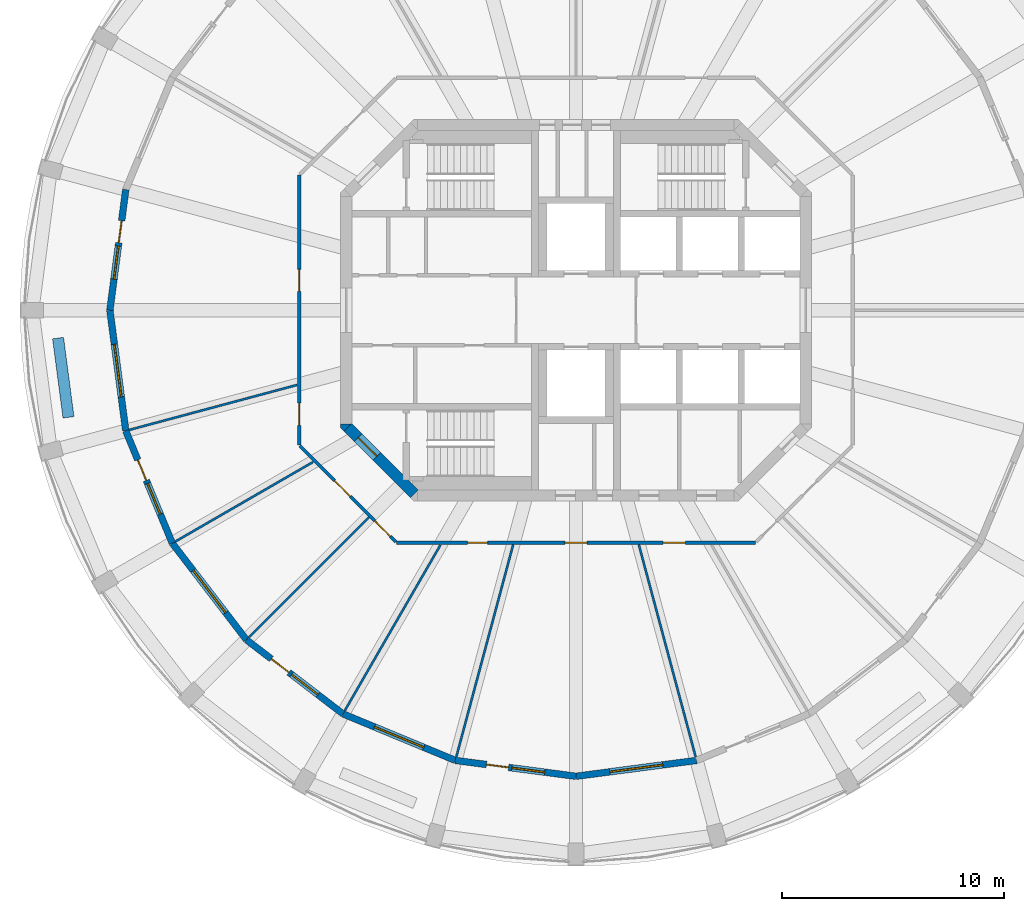
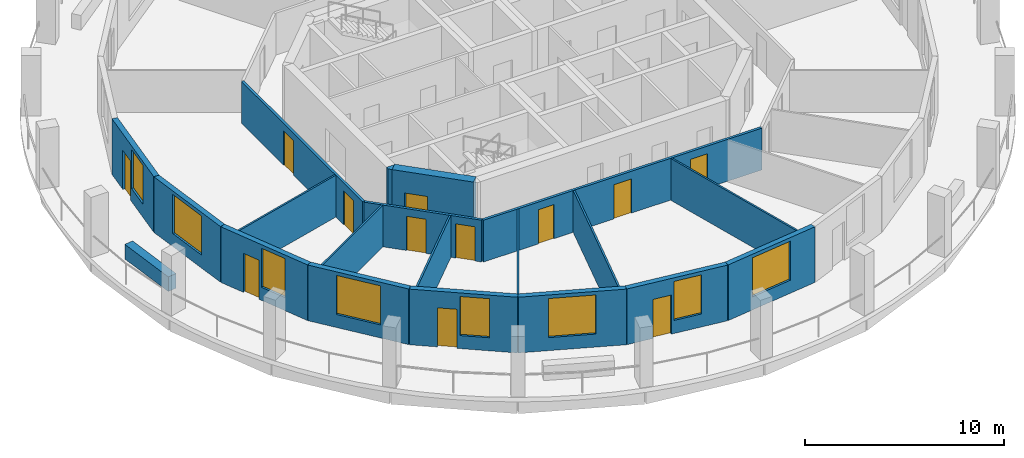
# One storey, part 2 of 8: 20 walls, 12 doors, 8 windows, 20 openings.
"""IFC4 building model written with IfcOpenShell, lengths in metres."""

from ifc_helpers import new_model, si_unit, direction, frame, frame_2d, origin, place, context, subcontext, project, spatial, polyline, rectangle, outline, extrude, material, layer, layer_set, type_object, element, fill, save


model = new_model("IFC4")

# Units and contexts
model_context = context("Model", 3, precision=1e-05, world=origin(), true_north=direction((0.0, 1.0)))
body_context = subcontext(model_context, "Body", "Model", "MODEL_VIEW")
ifc_project = project(units=[si_unit("LENGTHUNIT", "METRE"), si_unit("AREAUNIT", "SQUARE_METRE"), si_unit("VOLUMEUNIT", "CUBIC_METRE"), si_unit("PLANEANGLEUNIT", "RADIAN"), si_unit("MASSUNIT", "GRAM", prefix="KILO")], contexts=[model_context])

# Site, building, storey
site_placement = place(None, origin())
site = spatial("IfcSite", under=ifc_project, at=site_placement, CompositionType="ELEMENT")
building_placement = place(site_placement, origin())
building = spatial("IfcBuilding", under=site, at=building_placement, Name="Torre Triforio", CompositionType="ELEMENT")
storey_placement = place(building_placement, frame((0.0, 0.0, 257.5)))
storey = spatial("IfcBuildingStorey", under=building, at=storey_placement, Name="L59", CompositionType="ELEMENT", Elevation=257.5)

# Wall, opening, door
ifc_material_1 = material(Name="Concrete C40", Category="concrete")
ifc_layer_1 = layer(ifc_material_1, 0.5)
ifc_layer_set_1 = layer_set([ifc_layer_1], Name="Concrete C40")
wall_type_1 = type_object("IfcWallType", Name="Core wall 500 mm C40 EI 120", PredefinedType="SHEAR", material=ifc_layer_set_1)
wall_1_placement = place(storey_placement, frame((-7.27685546875, -8.27685546875, -0.280029296875), z_axis=(0.0, 0.0, 1.0), x_axis=(-0.707106781187, 0.707106781187, 0.0)))
wall_1 = element("IfcWall", 1, at=wall_1_placement, inside=storey, type_object=wall_type_1, Name="Core wall", PredefinedType="SHEAR", context=body_context, shape_type="SweptSolid", body=[
    extrude(rectangle(XDim=4.24267578125, YDim=0.5, at=frame_2d((2.121337890625, 0.0))), origin(), (0.0, 0.0, 1.0), 3.699951171875),
])
opening_1_placement = place(wall_1_placement, frame((2.392578125, 0.0, 0.280029296875)))
opening_1 = element("IfcOpeningElement", 2, at=opening_1_placement, cuts=wall_1, Name="Opening ST3-EXIT", PredefinedType="OPENING", context=body_context, shape_type="SweptSolid", body=[
    extrude(rectangle(XDim=1.199951171875, YDim=2.10009765625, at=frame_2d((0.60009765625, 1.050048828125))), frame((0.0, 0.260009765625, 0.0), z_axis=(0.0, -1.0, 0.0), x_axis=(1.0, 0.0, 0.0)), (0.0, 0.0, 1.0), 0.52001953125),
])
ifc_material_2 = material(Name="Hollow metal fire door leaf")
door_type_1 = type_object("IfcDoorType", Name="Stair lobby door 1200 x 2100 EI 60", OperationType="NOTDEFINED", PredefinedType="DOOR", material=ifc_material_2)
door_1_placement = place(opening_1_placement, origin())
door_1 = element("IfcDoor", 3, at=door_1_placement, inside=storey, type_object=door_type_1, Name="Core door ST3-EXIT", OperationType="SINGLE_SWING_RIGHT", OverallHeight=2.10009765625, OverallWidth=1.199951171875, PredefinedType="DOOR", context=body_context, shape_type="SweptSolid", body=[
    extrude(rectangle(XDim=1.199951171875, YDim=2.10009765625, at=frame_2d((0.60009765625, 1.050048828125))), frame((0.0, 0.02490234375, 0.0), z_axis=(0.0, -1.0, 0.0), x_axis=(1.0, 0.0, 0.0)), (0.0, 0.0, 1.0), 0.050048828125),
])
fill(opening_1, door_1)

# Wall
wall_2_placement = place(storey_placement, frame((0.0, 0.0, -0.280029296875)))
element("IfcWall", 4, at=wall_2_placement, inside=storey, type_object=wall_type_1, Name="Core wall", PredefinedType="SHEAR", context=body_context, shape_type="SweptSolid", body=[
    extrude(outline(polyline([(-10.60009765625, -5.30712890625), (-10.60009765625, -5.1298828125), (-10.1298828125, -5.1298828125), (-10.45361328125, -5.45361328125), (-10.60009765625, -5.30712890625)])), origin(), (0.0, 0.0, 1.0), 3.699951171875),
])

# Wall, openings, doors
ifc_material_3 = material(Name="Plasterboard on metal studs")
ifc_layer_2 = layer(ifc_material_3, 0.14990234375)
ifc_layer_set_2 = layer_set([ifc_layer_2], Name="Plasterboard on metal studs")
wall_type_2 = type_object("IfcWallType", Name="Corridor and tenancy wall 150 mm EI 60", PredefinedType="PARTITIONING", material=ifc_layer_set_2)
wall_3_placement = place(storey_placement, frame((8.083740234375, -10.47509765625, 0.0), z_axis=(0.0, 0.0, 1.0), x_axis=(-1.0, 0.0, 0.0)))
wall_3 = element("IfcWall", 5, at=wall_3_placement, inside=storey, type_object=wall_type_2, Name="Partition 2", PredefinedType="PARTITIONING", context=body_context, shape_type="SweptSolid", body=[
    extrude(rectangle(XDim=16.16748046875, YDim=0.14990234375, at=frame_2d((8.083740234375, 0.0))), origin(), (0.0, 0.0, 1.0), 2.570068359375),
])
opening_2_placement = place(wall_3_placement, frame((12.06494140625, 0.0, 0.0)))
opening_2 = element("IfcOpeningElement", 6, at=opening_2_placement, cuts=wall_3, Name="Opening E1-09", PredefinedType="OPENING", context=body_context, shape_type="SweptSolid", body=[
    extrude(rectangle(XDim=0.89990234375, YDim=2.10009765625, at=frame_2d((0.449951171875, 1.050048828125))), frame((0.0, 0.0849609375, 0.0), z_axis=(0.0, -1.0, 0.0), x_axis=(1.0, 0.0, 0.0)), (0.0, 0.0, 1.0), 0.169921875),
])
opening_3_placement = place(wall_3_placement, frame((7.583740234375, 0.0, 0.0)))
opening_3 = element("IfcOpeningElement", 7, at=opening_3_placement, cuts=wall_3, Name="Opening E1-10", PredefinedType="OPENING", context=body_context, shape_type="SweptSolid", body=[
    extrude(rectangle(XDim=1.0, YDim=2.10009765625, at=frame_2d((0.5, 1.050048828125))), frame((0.0, 0.0849609375, 0.0), z_axis=(0.0, -1.0, 0.0), x_axis=(1.0, 0.0, 0.0)), (0.0, 0.0, 1.0), 0.169921875),
])
opening_4_placement = place(wall_3_placement, frame((3.152587890625, 0.0, 0.0)))
opening_4 = element("IfcOpeningElement", 8, at=opening_4_placement, cuts=wall_3, Name="Opening E1-11", PredefinedType="OPENING", context=body_context, shape_type="SweptSolid", body=[
    extrude(rectangle(XDim=1.0, YDim=2.10009765625, at=frame_2d((0.5, 1.050048828125))), frame((0.0, 0.0849609375, 0.0), z_axis=(0.0, -1.0, 0.0), x_axis=(1.0, 0.0, 0.0)), (0.0, 0.0, 1.0), 0.169921875),
])
ifc_material_4 = material(Name="Timber", Category="wood")
door_type_2 = type_object("IfcDoorType", Name="Door 1000 x 2100 single leaf EI 30", OperationType="NOTDEFINED", PredefinedType="DOOR", material=ifc_material_4)
door_2_placement = place(opening_3_placement, origin())
door_2 = element("IfcDoor", 9, at=door_2_placement, inside=storey, type_object=door_type_2, Name="Door E1-10", OperationType="SINGLE_SWING_LEFT", OverallHeight=2.10009765625, OverallWidth=1.0, PredefinedType="DOOR", context=body_context, shape_type="SweptSolid", body=[
    extrude(rectangle(XDim=1.0, YDim=2.10009765625, at=frame_2d((0.5, 1.050048828125))), frame((0.0, 0.02490234375, 0.0), z_axis=(0.0, -1.0, 0.0), x_axis=(1.0, 0.0, 0.0)), (0.0, 0.0, 1.0), 0.050048828125),
])
fill(opening_3, door_2)
door_3_placement = place(opening_4_placement, origin())
door_3 = element("IfcDoor", 10, at=door_3_placement, inside=storey, type_object=door_type_2, Name="Door E1-11", OperationType="SINGLE_SWING_LEFT", OverallHeight=2.10009765625, OverallWidth=1.0, PredefinedType="DOOR", context=body_context, shape_type="SweptSolid", body=[
    extrude(rectangle(XDim=1.0, YDim=2.10009765625, at=frame_2d((0.5, 1.050048828125))), frame((0.0, 0.02490234375, 0.0), z_axis=(0.0, -1.0, 0.0), x_axis=(1.0, 0.0, 0.0)), (0.0, 0.0, 1.0), 0.050048828125),
])
fill(opening_4, door_3)
door_type_3 = type_object("IfcDoorType", Name="Door 900 x 2100 single leaf EI 30", OperationType="NOTDEFINED", PredefinedType="DOOR", material=ifc_material_4)
door_4_placement = place(opening_2_placement, origin())
door_4 = element("IfcDoor", 11, at=door_4_placement, inside=storey, type_object=door_type_3, Name="Door E1-09", OperationType="SINGLE_SWING_LEFT", OverallHeight=2.10009765625, OverallWidth=0.89990234375, PredefinedType="DOOR", context=body_context, shape_type="SweptSolid", body=[
    extrude(rectangle(XDim=0.89990234375, YDim=2.10009765625, at=frame_2d((0.449951171875, 1.050048828125))), frame((0.0, 0.02490234375, 0.0), z_axis=(0.0, -1.0, 0.0), x_axis=(1.0, 0.0, 0.0)), (0.0, 0.0, 1.0), 0.050048828125),
])
fill(opening_2, door_4)

wall_4_placement = place(storey_placement, frame((-8.120849609375, -10.43798828125, 0.0), z_axis=(0.0, 0.0, 1.0), x_axis=(-0.707106781187, 0.707106781187, 0.0)))
wall_4 = element("IfcWall", 12, at=wall_4_placement, inside=storey, type_object=wall_type_2, Name="Partition 3", PredefinedType="PARTITIONING", context=body_context, shape_type="SweptSolid", body=[
    extrude(rectangle(XDim=6.10546875, YDim=0.14990234375, at=frame_2d((3.052734375, 0.0))), origin(), (0.0, 0.0, 1.0), 2.570068359375),
])
opening_5_placement = place(wall_4_placement, frame((2.8974609375, 0.0, 0.0)))
opening_5 = element("IfcOpeningElement", 13, at=opening_5_placement, cuts=wall_4, Name="Opening E1-07", PredefinedType="OPENING", context=body_context, shape_type="SweptSolid", body=[
    extrude(rectangle(XDim=1.0, YDim=2.10009765625, at=frame_2d((0.5, 1.050048828125))), frame((0.0, 0.0849609375, 0.0), z_axis=(0.0, -1.0, 0.0), x_axis=(1.0, 0.0, 0.0)), (0.0, 0.0, 1.0), 0.169921875),
])
opening_6_placement = place(wall_4_placement, frame((0.34423828125, 0.0, 0.0)))
opening_6 = element("IfcOpeningElement", 14, at=opening_6_placement, cuts=wall_4, Name="Opening E1-08", PredefinedType="OPENING", context=body_context, shape_type="SweptSolid", body=[
    extrude(rectangle(XDim=1.0, YDim=2.10009765625, at=frame_2d((0.5, 1.050048828125))), frame((0.0, 0.0849609375, 0.0), z_axis=(0.0, -1.0, 0.0), x_axis=(1.0, 0.0, 0.0)), (0.0, 0.0, 1.0), 0.169921875),
])
door_5_placement = place(opening_5_placement, origin())
door_5 = element("IfcDoor", 15, at=door_5_placement, inside=storey, type_object=door_type_2, Name="Door E1-07", OperationType="SINGLE_SWING_LEFT", OverallHeight=2.10009765625, OverallWidth=1.0, PredefinedType="DOOR", context=body_context, shape_type="SweptSolid", body=[
    extrude(rectangle(XDim=1.0, YDim=2.10009765625, at=frame_2d((0.5, 1.050048828125))), frame((0.0, 0.02490234375, 0.0), z_axis=(0.0, -1.0, 0.0), x_axis=(1.0, 0.0, 0.0)), (0.0, 0.0, 1.0), 0.050048828125),
])
fill(opening_5, door_5)
door_6_placement = place(opening_6_placement, origin())
door_6 = element("IfcDoor", 16, at=door_6_placement, inside=storey, type_object=door_type_2, Name="Door E1-08", OperationType="SINGLE_SWING_LEFT", OverallHeight=2.10009765625, OverallWidth=1.0, PredefinedType="DOOR", context=body_context, shape_type="SweptSolid", body=[
    extrude(rectangle(XDim=1.0, YDim=2.10009765625, at=frame_2d((0.5, 1.050048828125))), frame((0.0, 0.02490234375, 0.0), z_axis=(0.0, -1.0, 0.0), x_axis=(1.0, 0.0, 0.0)), (0.0, 0.0, 1.0), 0.050048828125),
])
fill(opening_6, door_6)

wall_5_placement = place(storey_placement, frame((-12.47509765625, -6.083740234375, 0.0), z_axis=(0.0, 0.0, 1.0), x_axis=(0.0, 1.0, 0.0)))
wall_5 = element("IfcWall", 17, at=wall_5_placement, inside=storey, type_object=wall_type_2, Name="Partition 4", PredefinedType="PARTITIONING", context=body_context, shape_type="SweptSolid", body=[
    extrude(rectangle(XDim=12.16748046875, YDim=0.14990234375, at=frame_2d((6.083740234375, 0.0))), origin(), (0.0, 0.0, 1.0), 2.570068359375),
])
opening_7_placement = place(wall_5_placement, frame((6.928466796875, 0.0, 0.0)))
opening_7 = element("IfcOpeningElement", 18, at=opening_7_placement, cuts=wall_5, Name="Opening E1-05", PredefinedType="OPENING", context=body_context, shape_type="SweptSolid", body=[
    extrude(rectangle(XDim=1.0, YDim=2.10009765625, at=frame_2d((0.5, 1.050048828125))), frame((0.0, 0.0849609375, 0.0), z_axis=(0.0, -1.0, 0.0), x_axis=(1.0, 0.0, 0.0)), (0.0, 0.0, 1.0), 0.169921875),
])
opening_8_placement = place(wall_5_placement, frame((0.8955078125, 0.0, 0.0)))
opening_8 = element("IfcOpeningElement", 19, at=opening_8_placement, cuts=wall_5, Name="Opening E1-06", PredefinedType="OPENING", context=body_context, shape_type="SweptSolid", body=[
    extrude(rectangle(XDim=1.0, YDim=2.10009765625, at=frame_2d((0.5, 1.050048828125))), frame((0.0, 0.0849609375, 0.0), z_axis=(0.0, -1.0, 0.0), x_axis=(1.0, 0.0, 0.0)), (0.0, 0.0, 1.0), 0.169921875),
])
door_7_placement = place(opening_7_placement, origin())
door_7 = element("IfcDoor", 20, at=door_7_placement, inside=storey, type_object=door_type_2, Name="Door E1-05", OperationType="SINGLE_SWING_LEFT", OverallHeight=2.10009765625, OverallWidth=1.0, PredefinedType="DOOR", context=body_context, shape_type="SweptSolid", body=[
    extrude(rectangle(XDim=1.0, YDim=2.10009765625, at=frame_2d((0.5, 1.050048828125))), frame((0.0, 0.02490234375, 0.0), z_axis=(0.0, -1.0, 0.0), x_axis=(1.0, 0.0, 0.0)), (0.0, 0.0, 1.0), 0.050048828125),
])
fill(opening_7, door_7)
door_8_placement = place(opening_8_placement, origin())
door_8 = element("IfcDoor", 21, at=door_8_placement, inside=storey, type_object=door_type_2, Name="Door E1-06", OperationType="SINGLE_SWING_LEFT", OverallHeight=2.10009765625, OverallWidth=1.0, PredefinedType="DOOR", context=body_context, shape_type="SweptSolid", body=[
    extrude(rectangle(XDim=1.0, YDim=2.10009765625, at=frame_2d((0.5, 1.050048828125))), frame((0.0, 0.02490234375, 0.0), z_axis=(0.0, -1.0, 0.0), x_axis=(1.0, 0.0, 0.0)), (0.0, 0.0, 1.0), 0.050048828125),
])
fill(opening_8, door_8)

# Walls
ifc_layer_3 = layer(ifc_material_3, 0.10009765625)
ifc_layer_set_3 = layer_set([ifc_layer_3], Name="Plasterboard on metal studs")
wall_type_3 = type_object("IfcWallType", Name="Partition 100 mm board on metal studs", PredefinedType="PARTITIONING", material=ifc_layer_set_3)
wall_6_placement = place(storey_placement, frame((-12.564208984375, -3.36669921875, 0.0), z_axis=(0.0, 0.0, 1.0), x_axis=(-0.965933576344, -0.258790119773, 0.0)))
element("IfcWall", 22, at=wall_6_placement, inside=storey, type_object=wall_type_3, Name="Partition 15", PredefinedType="PARTITIONING", context=body_context, shape_type="SweptSolid", body=[
    extrude(rectangle(XDim=7.8291015625, YDim=0.10009765625, at=frame_2d((3.91455078125, 0.0))), origin(), (0.0, 0.0, 1.0), 2.570068359375),
])
wall_7_placement = place(storey_placement, frame((-11.845947265625, -6.839111328125, 0.0), z_axis=(0.0, 0.0, 1.0), x_axis=(-0.866011787705, -0.500023583, 0.0)))
element("IfcWall", 23, at=wall_7_placement, inside=storey, type_object=wall_type_3, Name="Partition 16", PredefinedType="PARTITIONING", context=body_context, shape_type="SweptSolid", body=[
    extrude(rectangle(XDim=7.158447265625, YDim=0.10009765625, at=frame_2d((3.5791015625, 0.0))), origin(), (0.0, 0.0, 1.0), 2.570068359375),
])
wall_8_placement = place(storey_placement, frame((-9.33251953125, -9.33251953125, 0.0), z_axis=(0.0, 0.0, 1.0), x_axis=(-0.707106781187, -0.707106781187, 0.0)))
element("IfcWall", 24, at=wall_8_placement, inside=storey, type_object=wall_type_3, Name="Partition 17", PredefinedType="PARTITIONING", context=body_context, shape_type="SweptSolid", body=[
    extrude(rectangle(XDim=7.638671875, YDim=0.10009765625, at=frame_2d((3.8193359375, 0.0))), origin(), (0.0, 0.0, 1.0), 2.570068359375),
])
wall_9_placement = place(storey_placement, frame((-6.105224609375, -10.57470703125, 0.0), z_axis=(0.0, 0.0, 1.0), x_axis=(-0.50001399067, -0.866017326117, 0.0)))
element("IfcWall", 25, at=wall_9_placement, inside=storey, type_object=wall_type_3, Name="Partition 18", PredefinedType="PARTITIONING", context=body_context, shape_type="SweptSolid", body=[
    extrude(rectangle(XDim=8.626220703125, YDim=0.10009765625, at=frame_2d((4.31298828125, 0.0))), origin(), (0.0, 0.0, 1.0), 2.570068359375),
])
for number, where, z_axis, x_axis, name in (
    (26, (-2.830810546875, -10.564208984375, 0.0), (0.0, 0.0, 1.0), (-0.258795254151, -0.965932200741, 0.0), "Partition 19"),
    (27, (2.830810546875, -10.564208984375, 0.0), (0.0, 0.0, 1.0), (0.258795254151, -0.965932200741, 0.0), "Partition 20"),
):
    element("IfcWall", number, at=place(storey_placement, frame(where, z_axis=z_axis, x_axis=x_axis)), inside=storey, type_object=wall_type_3, Name=name, PredefinedType="PARTITIONING", context=body_context, shape_type="SweptSolid", body=[
        extrude(rectangle(XDim=9.899658203125, YDim=0.10009765625, at=frame_2d((4.94970703125, 0.0))), origin(), (0.0, 0.0, 1.0), 2.570068359375),
    ])
ifc_material_5 = material(Name="Limestone cladding", Category="masonry")
ifc_layer_4 = layer(ifc_material_5, 0.10009765625)
ifc_layer_5 = layer(ifc_material_1, 0.39990234375)
ifc_layer_set_4 = layer_set([ifc_layer_4, ifc_layer_5], Name="Limestone cladding / Concrete C40")
wall_type_4 = type_object("IfcWallType", Name="Planter wall 500", PredefinedType="PARAPET", material=ifc_layer_set_4)
wall_10_placement = place(storey_placement, frame((-23.335693359375, -1.256591796875, 0.0), z_axis=(0.0, 0.0, 1.0), x_axis=(0.130542222659, -0.991442750795, 0.0)))
element("IfcWall", 28, at=wall_10_placement, inside=storey, type_object=wall_type_4, Name="Planter L59 bay 13", PredefinedType="PARAPET", context=body_context, shape_type="SweptSolid", body=[
    extrude(rectangle(XDim=3.60009765625, YDim=0.5, at=frame_2d((1.800048828125, 0.0))), origin(), (0.0, 0.0, 1.0), 0.89990234375),
])

# Wall, openings, door, window
ifc_layer_6 = layer(ifc_material_5, 0.10009765625)
ifc_layer_7 = layer(ifc_material_1, 0.199951171875)
ifc_layer_set_5 = layer_set([ifc_layer_6, ifc_layer_7], Name="Limestone cladding / Concrete C40")
wall_type_5 = type_object("IfcWallType", Name="Stone-faced composite wall 300", PredefinedType="STANDARD", material=ifc_layer_set_5)
wall_11_placement = place(storey_placement, frame((-20.284423828125, 5.435302734375, 0.0), z_axis=(0.0, 0.0, 1.0), x_axis=(-0.130527087244, -0.991444743541, 0.0)))
wall_11 = element("IfcWall", 29, at=wall_11_placement, inside=storey, type_object=wall_type_5, Name="External wall L59 bay 12", PredefinedType="STANDARD", context=body_context, shape_type="SweptSolid", body=[
    extrude(rectangle(XDim=5.482177734375, YDim=0.300048828125, at=frame_2d((2.7412109375, 0.0))), origin(), (0.0, 0.0, 1.0), 3.419921875),
])
opening_9_placement = place(wall_11_placement, frame((1.416015625, 0.0, 0.0)))
opening_9 = element("IfcOpeningElement", 30, at=opening_9_placement, cuts=wall_11, Name="Opening E1-D12", PredefinedType="OPENING", context=body_context, shape_type="SweptSolid", body=[
    extrude(rectangle(XDim=1.0, YDim=2.39990234375, at=frame_2d((0.5, 1.199951171875))), frame((0.0, 0.159912109375, 0.0), z_axis=(0.0, -1.0, 0.0), x_axis=(1.0, 0.0, 0.0)), (0.0, 0.0, 1.0), 0.320068359375),
])
opening_10_placement = place(wall_11_placement, frame((2.566162109375, 0.0, 0.800048828125)))
opening_10 = element("IfcOpeningElement", 31, at=opening_10_placement, cuts=wall_11, Name="Opening E1-W12A", PredefinedType="OPENING", context=body_context, shape_type="SweptSolid", body=[
    extrude(rectangle(XDim=1.5, YDim=2.39990234375, at=frame_2d((0.75, 1.199951171875))), frame((0.0, 0.159912109375, 0.0), z_axis=(0.0, -1.0, 0.0), x_axis=(1.0, 0.0, 0.0)), (0.0, 0.0, 1.0), 0.320068359375),
])
ifc_material_6 = material(Name="Aluminium frame with clear double glazing", Category="aluminium")
door_type_4 = type_object("IfcDoorType", Name="Loggia door 1000 x 2400", OperationType="NOTDEFINED", PredefinedType="DOOR", material=ifc_material_6)
door_9_placement = place(opening_9_placement, origin())
door_9 = element("IfcDoor", 32, at=door_9_placement, inside=storey, type_object=door_type_4, Name="Loggia door L59 bay 12", OperationType="SINGLE_SWING_LEFT", OverallHeight=2.39990234375, OverallWidth=1.0, PredefinedType="DOOR", context=body_context, shape_type="SweptSolid", body=[
    extrude(rectangle(XDim=1.0, YDim=2.39990234375, at=frame_2d((0.5, 1.199951171875))), frame((0.0, 0.02490234375, 0.0), z_axis=(0.0, -1.0, 0.0), x_axis=(1.0, 0.0, 0.0)), (0.0, 0.0, 1.0), 0.050048828125),
])
fill(opening_9, door_9)
window_type_1 = type_object("IfcWindowType", Name="Side window 1500 x 2400", PartitioningType="SINGLE_PANEL", PredefinedType="WINDOW", material=ifc_material_6)
window_1_placement = place(opening_10_placement, origin())
window_1 = element("IfcWindow", 33, at=window_1_placement, inside=storey, type_object=window_type_1, Name="Side window EWN14 L59 bay 12", OverallHeight=2.39990234375, OverallWidth=1.5, PartitioningType="SINGLE_PANEL", PredefinedType="WINDOW", context=body_context, shape_type="SweptSolid", body=[
    extrude(rectangle(XDim=1.5, YDim=2.39990234375, at=frame_2d((0.75, 1.199951171875))), frame((0.0, 0.030029296875, 0.0), z_axis=(0.0, -1.0, 0.0), x_axis=(1.0, 0.0, 0.0)), (0.0, 0.0, 1.0), 0.06005859375),
])
fill(opening_10, window_1)

# Wall, opening, window
wall_12_placement = place(storey_placement, frame((-21.0, 0.0, 0.0), z_axis=(0.0, 0.0, 1.0), x_axis=(0.130527087244, -0.991444743541, 0.0)))
wall_12 = element("IfcWall", 34, at=wall_12_placement, inside=storey, type_object=wall_type_5, Name="External wall L59 bay 13", PredefinedType="STANDARD", context=body_context, shape_type="SweptSolid", body=[
    extrude(rectangle(XDim=5.482177734375, YDim=0.300048828125, at=frame_2d((2.7412109375, 0.0))), origin(), (0.0, 0.0, 1.0), 3.419921875),
])
opening_11_placement = place(wall_12_placement, frame((1.541015625, 0.0, 0.800048828125)))
opening_11 = element("IfcOpeningElement", 35, at=opening_11_placement, cuts=wall_12, Name="Opening E1-W13", PredefinedType="OPENING", context=body_context, shape_type="SweptSolid", body=[
    extrude(rectangle(XDim=2.39990234375, YDim=2.39990234375, at=frame_2d((1.199951171875, 1.199951171875))), frame((0.0, 0.159912109375, 0.0), z_axis=(0.0, -1.0, 0.0), x_axis=(1.0, 0.0, 0.0)), (0.0, 0.0, 1.0), 0.320068359375),
])
window_type_2 = type_object("IfcWindowType", Name="Punched window 2400 x 2400", PartitioningType="DOUBLE_PANEL_VERTICAL", PredefinedType="WINDOW", material=ifc_material_6)
window_2_placement = place(opening_11_placement, origin())
window_2 = element("IfcWindow", 36, at=window_2_placement, inside=storey, type_object=window_type_2, Name="Window EWN4 L59 bay 13", OverallHeight=2.39990234375, OverallWidth=2.39990234375, PartitioningType="SINGLE_PANEL", PredefinedType="WINDOW", context=body_context, shape_type="SweptSolid", body=[
    extrude(rectangle(XDim=2.39990234375, YDim=2.39990234375, at=frame_2d((1.199951171875, 1.199951171875))), frame((0.0, 0.030029296875, 0.0), z_axis=(0.0, -1.0, 0.0), x_axis=(1.0, 0.0, 0.0)), (0.0, 0.0, 1.0), 0.06005859375),
])
fill(opening_11, window_2)

# Wall, openings, door, window
wall_13_placement = place(storey_placement, frame((-20.284423828125, -5.435302734375, 0.0), z_axis=(0.0, 0.0, 1.0), x_axis=(0.382688740813, -0.923877333662, 0.0)))
wall_13 = element("IfcWall", 37, at=wall_13_placement, inside=storey, type_object=wall_type_5, Name="External wall L59 bay 14", PredefinedType="STANDARD", context=body_context, shape_type="SweptSolid", body=[
    extrude(rectangle(XDim=5.48193359375, YDim=0.300048828125, at=frame_2d((2.740966796875, 0.0))), origin(), (0.0, 0.0, 1.0), 3.419921875),
])
opening_12_placement = place(wall_13_placement, frame((1.416015625, 0.0, 0.0)))
opening_12 = element("IfcOpeningElement", 38, at=opening_12_placement, cuts=wall_13, Name="Opening E1-D14", PredefinedType="OPENING", context=body_context, shape_type="SweptSolid", body=[
    extrude(rectangle(XDim=1.0, YDim=2.39990234375, at=frame_2d((0.5, 1.199951171875))), frame((0.0, 0.159912109375, 0.0), z_axis=(0.0, -1.0, 0.0), x_axis=(1.0, 0.0, 0.0)), (0.0, 0.0, 1.0), 0.320068359375),
])
opening_13_placement = place(wall_13_placement, frame((2.566162109375, 0.0, 0.800048828125)))
opening_13 = element("IfcOpeningElement", 39, at=opening_13_placement, cuts=wall_13, Name="Opening E1-W14A", PredefinedType="OPENING", context=body_context, shape_type="SweptSolid", body=[
    extrude(rectangle(XDim=1.5, YDim=2.39990234375, at=frame_2d((0.75, 1.199951171875))), frame((0.0, 0.159912109375, 0.0), z_axis=(0.0, -1.0, 0.0), x_axis=(1.0, 0.0, 0.0)), (0.0, 0.0, 1.0), 0.320068359375),
])
door_10_placement = place(opening_12_placement, origin())
door_10 = element("IfcDoor", 40, at=door_10_placement, inside=storey, type_object=door_type_4, Name="Loggia door L59 bay 14", OperationType="SINGLE_SWING_LEFT", OverallHeight=2.39990234375, OverallWidth=1.0, PredefinedType="DOOR", context=body_context, shape_type="SweptSolid", body=[
    extrude(rectangle(XDim=1.0, YDim=2.39990234375, at=frame_2d((0.5, 1.199951171875))), frame((0.0, 0.02490234375, 0.0), z_axis=(0.0, -1.0, 0.0), x_axis=(1.0, 0.0, 0.0)), (0.0, 0.0, 1.0), 0.050048828125),
])
fill(opening_12, door_10)
window_3_placement = place(opening_13_placement, origin())
window_3 = element("IfcWindow", 41, at=window_3_placement, inside=storey, type_object=window_type_1, Name="Side window EWN14 L59 bay 14", OverallHeight=2.39990234375, OverallWidth=1.5, PartitioningType="SINGLE_PANEL", PredefinedType="WINDOW", context=body_context, shape_type="SweptSolid", body=[
    extrude(rectangle(XDim=1.5, YDim=2.39990234375, at=frame_2d((0.75, 1.199951171875))), frame((0.0, 0.030029296875, 0.0), z_axis=(0.0, -1.0, 0.0), x_axis=(1.0, 0.0, 0.0)), (0.0, 0.0, 1.0), 0.06005859375),
])
fill(opening_13, window_3)

# Wall, opening, window
wall_14_placement = place(storey_placement, frame((-18.1865234375, -10.5, 0.0), z_axis=(0.0, 0.0, 1.0), x_axis=(0.608784891166, -0.793335336593, 0.0)))
wall_14 = element("IfcWall", 42, at=wall_14_placement, inside=storey, type_object=wall_type_5, Name="External wall L59 bay 15", PredefinedType="STANDARD", context=body_context, shape_type="SweptSolid", body=[
    extrude(rectangle(XDim=5.482177734375, YDim=0.300048828125, at=frame_2d((2.7412109375, 0.0))), origin(), (0.0, 0.0, 1.0), 3.419921875),
])
opening_14_placement = place(wall_14_placement, frame((1.541015625, 0.0, 0.800048828125)))
opening_14 = element("IfcOpeningElement", 43, at=opening_14_placement, cuts=wall_14, Name="Opening E1-W15", PredefinedType="OPENING", context=body_context, shape_type="SweptSolid", body=[
    extrude(rectangle(XDim=2.39990234375, YDim=2.39990234375, at=frame_2d((1.199951171875, 1.199951171875))), frame((0.0, 0.159912109375, 0.0), z_axis=(0.0, -1.0, 0.0), x_axis=(1.0, 0.0, 0.0)), (0.0, 0.0, 1.0), 0.320068359375),
])
window_4_placement = place(opening_14_placement, origin())
window_4 = element("IfcWindow", 44, at=window_4_placement, inside=storey, type_object=window_type_2, Name="Window EWN4 L59 bay 15", OverallHeight=2.39990234375, OverallWidth=2.39990234375, PartitioningType="SINGLE_PANEL", PredefinedType="WINDOW", context=body_context, shape_type="SweptSolid", body=[
    extrude(rectangle(XDim=2.39990234375, YDim=2.39990234375, at=frame_2d((1.199951171875, 1.199951171875))), frame((0.0, 0.030029296875, 0.0), z_axis=(0.0, -1.0, 0.0), x_axis=(1.0, 0.0, 0.0)), (0.0, 0.0, 1.0), 0.06005859375),
])
fill(opening_14, window_4)

# Wall, openings, door, window
wall_15_placement = place(storey_placement, frame((-14.84912109375, -14.84912109375, 0.0), z_axis=(0.0, 0.0, 1.0), x_axis=(0.793335336593, -0.608784891166, 0.0)))
wall_15 = element("IfcWall", 45, at=wall_15_placement, inside=storey, type_object=wall_type_5, Name="External wall L59 bay 16", PredefinedType="STANDARD", context=body_context, shape_type="SweptSolid", body=[
    extrude(rectangle(XDim=5.482177734375, YDim=0.300048828125, at=frame_2d((2.7412109375, 0.0))), origin(), (0.0, 0.0, 1.0), 3.419921875),
])
opening_15_placement = place(wall_15_placement, frame((1.416015625, 0.0, 0.0)))
opening_15 = element("IfcOpeningElement", 46, at=opening_15_placement, cuts=wall_15, Name="Opening E1-D16", PredefinedType="OPENING", context=body_context, shape_type="SweptSolid", body=[
    extrude(rectangle(XDim=1.0, YDim=2.39990234375, at=frame_2d((0.5, 1.199951171875))), frame((0.0, 0.159912109375, 0.0), z_axis=(0.0, -1.0, 0.0), x_axis=(1.0, 0.0, 0.0)), (0.0, 0.0, 1.0), 0.320068359375),
])
opening_16_placement = place(wall_15_placement, frame((2.56591796875, 0.0, 0.800048828125)))
opening_16 = element("IfcOpeningElement", 47, at=opening_16_placement, cuts=wall_15, Name="Opening E1-W16A", PredefinedType="OPENING", context=body_context, shape_type="SweptSolid", body=[
    extrude(rectangle(XDim=1.5, YDim=2.39990234375, at=frame_2d((0.75, 1.199951171875))), frame((0.0, 0.159912109375, 0.0), z_axis=(0.0, -1.0, 0.0), x_axis=(1.0, 0.0, 0.0)), (0.0, 0.0, 1.0), 0.320068359375),
])
door_11_placement = place(opening_15_placement, origin())
door_11 = element("IfcDoor", 48, at=door_11_placement, inside=storey, type_object=door_type_4, Name="Loggia door L59 bay 16", OperationType="SINGLE_SWING_LEFT", OverallHeight=2.39990234375, OverallWidth=1.0, PredefinedType="DOOR", context=body_context, shape_type="SweptSolid", body=[
    extrude(rectangle(XDim=1.0, YDim=2.39990234375, at=frame_2d((0.5, 1.199951171875))), frame((0.0, 0.02490234375, 0.0), z_axis=(0.0, -1.0, 0.0), x_axis=(1.0, 0.0, 0.0)), (0.0, 0.0, 1.0), 0.050048828125),
])
fill(opening_15, door_11)
window_5_placement = place(opening_16_placement, origin())
window_5 = element("IfcWindow", 49, at=window_5_placement, inside=storey, type_object=window_type_1, Name="Side window EWN14 L59 bay 16", OverallHeight=2.39990234375, OverallWidth=1.5, PartitioningType="SINGLE_PANEL", PredefinedType="WINDOW", context=body_context, shape_type="SweptSolid", body=[
    extrude(rectangle(XDim=1.5, YDim=2.39990234375, at=frame_2d((0.75, 1.199951171875))), frame((0.0, 0.030029296875, 0.0), z_axis=(0.0, -1.0, 0.0), x_axis=(1.0, 0.0, 0.0)), (0.0, 0.0, 1.0), 0.06005859375),
])
fill(opening_16, window_5)

# Wall, opening, window
wall_16_placement = place(storey_placement, frame((-10.5, -18.1865234375, 0.0), z_axis=(0.0, 0.0, 1.0), x_axis=(0.923877333662, -0.382688740813, 0.0)))
wall_16 = element("IfcWall", 50, at=wall_16_placement, inside=storey, type_object=wall_type_5, Name="External wall L59 bay 17", PredefinedType="STANDARD", context=body_context, shape_type="SweptSolid", body=[
    extrude(rectangle(XDim=5.48193359375, YDim=0.300048828125, at=frame_2d((2.740966796875, 0.0))), origin(), (0.0, 0.0, 1.0), 3.419921875),
])
opening_17_placement = place(wall_16_placement, frame((1.541015625, 0.0, 0.800048828125)))
opening_17 = element("IfcOpeningElement", 51, at=opening_17_placement, cuts=wall_16, Name="Opening E1-W17", PredefinedType="OPENING", context=body_context, shape_type="SweptSolid", body=[
    extrude(rectangle(XDim=2.39990234375, YDim=2.39990234375, at=frame_2d((1.199951171875, 1.199951171875))), frame((0.0, 0.159912109375, 0.0), z_axis=(0.0, -1.0, 0.0), x_axis=(1.0, 0.0, 0.0)), (0.0, 0.0, 1.0), 0.320068359375),
])
window_6_placement = place(opening_17_placement, origin())
window_6 = element("IfcWindow", 52, at=window_6_placement, inside=storey, type_object=window_type_2, Name="Window EWN4 L59 bay 17", OverallHeight=2.39990234375, OverallWidth=2.39990234375, PartitioningType="SINGLE_PANEL", PredefinedType="WINDOW", context=body_context, shape_type="SweptSolid", body=[
    extrude(rectangle(XDim=2.39990234375, YDim=2.39990234375, at=frame_2d((1.199951171875, 1.199951171875))), frame((0.0, 0.030029296875, 0.0), z_axis=(0.0, -1.0, 0.0), x_axis=(1.0, 0.0, 0.0)), (0.0, 0.0, 1.0), 0.06005859375),
])
fill(opening_17, window_6)

# Wall, openings, door, window
wall_17_placement = place(storey_placement, frame((-5.435302734375, -20.284423828125, 0.0), z_axis=(0.0, 0.0, 1.0), x_axis=(0.991444743541, -0.130527087244, 0.0)))
wall_17 = element("IfcWall", 53, at=wall_17_placement, inside=storey, type_object=wall_type_5, Name="External wall L59 bay 18", PredefinedType="STANDARD", context=body_context, shape_type="SweptSolid", body=[
    extrude(rectangle(XDim=5.482177734375, YDim=0.300048828125, at=frame_2d((2.7412109375, 0.0))), origin(), (0.0, 0.0, 1.0), 3.419921875),
])
opening_18_placement = place(wall_17_placement, frame((1.416015625, 0.0, 0.0)))
opening_18 = element("IfcOpeningElement", 54, at=opening_18_placement, cuts=wall_17, Name="Opening E1-D18", PredefinedType="OPENING", context=body_context, shape_type="SweptSolid", body=[
    extrude(rectangle(XDim=1.0, YDim=2.39990234375, at=frame_2d((0.5, 1.199951171875))), frame((0.0, 0.159912109375, 0.0), z_axis=(0.0, -1.0, 0.0), x_axis=(1.0, 0.0, 0.0)), (0.0, 0.0, 1.0), 0.320068359375),
])
opening_19_placement = place(wall_17_placement, frame((2.566162109375, 0.0, 0.800048828125)))
opening_19 = element("IfcOpeningElement", 55, at=opening_19_placement, cuts=wall_17, Name="Opening E1-W18A", PredefinedType="OPENING", context=body_context, shape_type="SweptSolid", body=[
    extrude(rectangle(XDim=1.5, YDim=2.39990234375, at=frame_2d((0.75, 1.199951171875))), frame((0.0, 0.159912109375, 0.0), z_axis=(0.0, -1.0, 0.0), x_axis=(1.0, 0.0, 0.0)), (0.0, 0.0, 1.0), 0.320068359375),
])
door_12_placement = place(opening_18_placement, origin())
door_12 = element("IfcDoor", 56, at=door_12_placement, inside=storey, type_object=door_type_4, Name="Loggia door L59 bay 18", OperationType="SINGLE_SWING_LEFT", OverallHeight=2.39990234375, OverallWidth=1.0, PredefinedType="DOOR", context=body_context, shape_type="SweptSolid", body=[
    extrude(rectangle(XDim=1.0, YDim=2.39990234375, at=frame_2d((0.5, 1.199951171875))), frame((0.0, 0.02490234375, 0.0), z_axis=(0.0, -1.0, 0.0), x_axis=(1.0, 0.0, 0.0)), (0.0, 0.0, 1.0), 0.050048828125),
])
fill(opening_18, door_12)
window_7_placement = place(opening_19_placement, origin())
window_7 = element("IfcWindow", 57, at=window_7_placement, inside=storey, type_object=window_type_1, Name="Side window EWN14 L59 bay 18", OverallHeight=2.39990234375, OverallWidth=1.5, PartitioningType="SINGLE_PANEL", PredefinedType="WINDOW", context=body_context, shape_type="SweptSolid", body=[
    extrude(rectangle(XDim=1.5, YDim=2.39990234375, at=frame_2d((0.75, 1.199951171875))), frame((0.0, 0.030029296875, 0.0), z_axis=(0.0, -1.0, 0.0), x_axis=(1.0, 0.0, 0.0)), (0.0, 0.0, 1.0), 0.06005859375),
])
fill(opening_19, window_7)

# Wall, opening, window
wall_18_placement = place(storey_placement, frame((0.0, -21.0, 0.0), z_axis=(0.0, 0.0, 1.0), x_axis=(0.991444743541, 0.130527087244, 0.0)))
wall_18 = element("IfcWall", 58, at=wall_18_placement, inside=storey, type_object=wall_type_5, Name="External wall L59 bay 19", PredefinedType="STANDARD", context=body_context, shape_type="SweptSolid", body=[
    extrude(rectangle(XDim=5.482177734375, YDim=0.300048828125, at=frame_2d((2.7412109375, 0.0))), origin(), (0.0, 0.0, 1.0), 3.419921875),
])
opening_20_placement = place(wall_18_placement, frame((1.541015625, 0.0, 0.800048828125)))
opening_20 = element("IfcOpeningElement", 59, at=opening_20_placement, cuts=wall_18, Name="Opening E1-W19", PredefinedType="OPENING", context=body_context, shape_type="SweptSolid", body=[
    extrude(rectangle(XDim=2.39990234375, YDim=2.39990234375, at=frame_2d((1.199951171875, 1.199951171875))), frame((0.0, 0.159912109375, 0.0), z_axis=(0.0, -1.0, 0.0), x_axis=(1.0, 0.0, 0.0)), (0.0, 0.0, 1.0), 0.320068359375),
])
window_8_placement = place(opening_20_placement, origin())
window_8 = element("IfcWindow", 60, at=window_8_placement, inside=storey, type_object=window_type_2, Name="Window EWN4 L59 bay 19", OverallHeight=2.39990234375, OverallWidth=2.39990234375, PartitioningType="SINGLE_PANEL", PredefinedType="WINDOW", context=body_context, shape_type="SweptSolid", body=[
    extrude(rectangle(XDim=2.39990234375, YDim=2.39990234375, at=frame_2d((1.199951171875, 1.199951171875))), frame((0.0, 0.030029296875, 0.0), z_axis=(0.0, -1.0, 0.0), x_axis=(1.0, 0.0, 0.0)), (0.0, 0.0, 1.0), 0.06005859375),
])
fill(opening_20, window_8)

save(model, "model.ifc")
